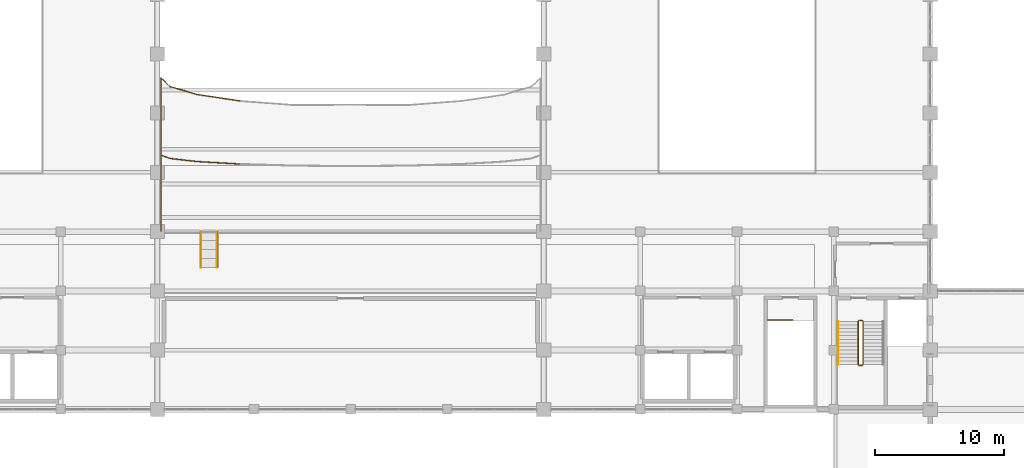
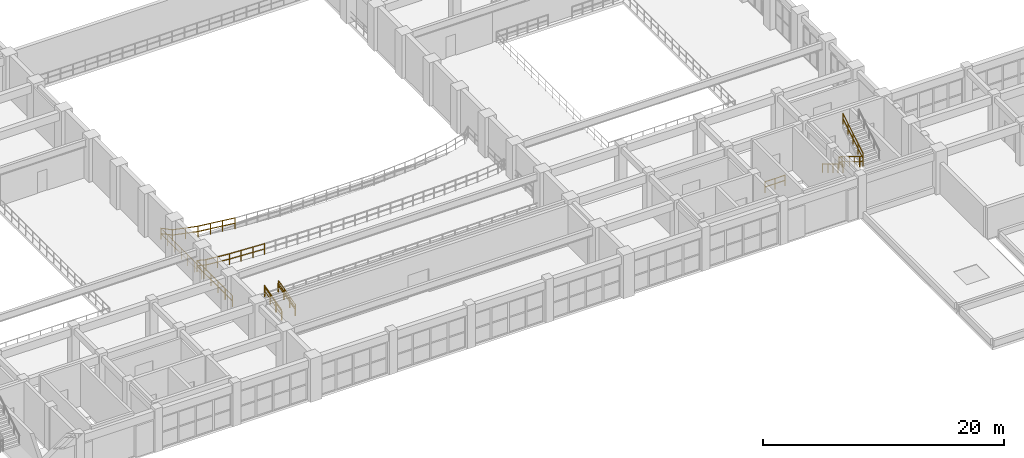
# One storey, part 84 of 90: 18 railings.
"""IFC4 building model written with IfcOpenShell, lengths in metres."""

from ifc_helpers import new_model, si_unit, direction, frame, origin, origin_2d, place, context, subcontext, project, spatial, circle, extrude, material, type_object, element, save


model = new_model("IFC4")

# Units and contexts
model_context = context("Model", 3, precision=1e-05, world=origin(), true_north=direction((0.0, 1.0)))
body_context = subcontext(model_context, "Body", "Model", "MODEL_VIEW")
ifc_project = project(units=[si_unit("LENGTHUNIT", "METRE"), si_unit("AREAUNIT", "SQUARE_METRE"), si_unit("VOLUMEUNIT", "CUBIC_METRE"), si_unit("PLANEANGLEUNIT", "RADIAN"), si_unit("MASSUNIT", "GRAM", prefix="KILO")], contexts=[model_context])

# Site, building, storey
site_placement = place(None, origin())
site = spatial("IfcSite", under=ifc_project, at=site_placement, CompositionType="ELEMENT")
building_placement = place(site_placement, origin())
building = spatial("IfcBuilding", under=site, at=building_placement, Name="Muzn Square Opera House", CompositionType="ELEMENT")
storey_placement = place(building_placement, frame((0.0, 0.0, 9.800048828125)))
storey = spatial("IfcBuildingStorey", under=building, at=storey_placement, Name="L02", CompositionType="ELEMENT", Elevation=9.800048828125)

# Railings
ifc_material_1 = material(Name="Architectural bronze mashrabiya", Category="metal")
railing_type_1 = type_object("IfcRailingType", Name="Bronze Protective Balustrade 1120mm", PredefinedType="BALUSTRADE", material=ifc_material_1)
railing_1_placement = place(storey_placement, frame((79.36669921875, 41.05224609375, 0.719970703125)))
element("IfcRailing", 1, at=railing_1_placement, inside=storey, type_object=railing_type_1, Name="Auditorium Balcony Tier Front Balustrade L02-0127", PredefinedType="BALUSTRADE", context=body_context, shape_type="SweptSolid", body=[
    extrude(circle(Radius=0.02392578125, at=origin_2d()), frame((0.0, 0.0, 1.09619140625), z_axis=(-0.998349564614, 0.057429494465, 0.0), x_axis=(-0.057429494465, -0.998349564614, 0.0)), (0.0, 0.0, 1.0), 3.277587890625),
    extrude(circle(Radius=0.02392578125, at=origin_2d()), frame((0.0, 0.0, 0.56005859375), z_axis=(-0.998349564614, 0.057429494465, 0.0), x_axis=(-0.057429494465, -0.998349564614, 0.0)), (0.0, 0.0, 1.0), 3.277587890625),
    extrude(circle(Radius=0.02099609375, at=origin_2d()), origin(), (0.0, 0.0, 1.0), 1.072021484375),
    extrude(circle(Radius=0.02099609375, at=origin_2d()), frame((-1.0908203125, 0.062744140625, 0.0)), (0.0, 0.0, 1.0), 1.072021484375),
    extrude(circle(Radius=0.02099609375, at=origin_2d()), frame((-2.181396484375, 0.12548828125, 0.0)), (0.0, 0.0, 1.0), 1.072021484375),
    extrude(circle(Radius=0.02099609375, at=origin_2d()), frame((-3.272216796875, 0.188232421875, 0.0)), (0.0, 0.0, 1.0), 1.072021484375),
])
railing_2_placement = place(storey_placement, frame((76.094482421875, 41.240478515625, 0.719970703125)))
element("IfcRailing", 2, at=railing_2_placement, inside=storey, type_object=railing_type_1, Name="Auditorium Balcony Tier Front Balustrade L02-0128", PredefinedType="BALUSTRADE", context=body_context, shape_type="SweptSolid", body=[
    extrude(circle(Radius=0.02392578125, at=origin_2d()), frame((0.0, 0.0, 1.09619140625), z_axis=(-0.99370498589, 0.112028572328, 0.0), x_axis=(-0.112028572328, -0.99370498589, 0.0)), (0.0, 0.0, 1.0), 2.114013671875),
    extrude(circle(Radius=0.02392578125, at=origin_2d()), frame((0.0, 0.0, 0.56005859375), z_axis=(-0.99370498589, 0.112028572328, 0.0), x_axis=(-0.112028572328, -0.99370498589, 0.0)), (0.0, 0.0, 1.0), 2.114013671875),
    extrude(circle(Radius=0.02099609375, at=origin_2d()), origin(), (0.0, 0.0, 1.0), 1.072021484375),
    extrude(circle(Radius=0.02099609375, at=origin_2d()), frame((-1.05029296875, 0.118408203125, 0.0)), (0.0, 0.0, 1.0), 1.072021484375),
    extrude(circle(Radius=0.02099609375, at=origin_2d()), frame((-2.1005859375, 0.23681640625, 0.0)), (0.0, 0.0, 1.0), 1.072021484375),
])
railing_3_placement = place(storey_placement, frame((73.993896484375, 41.477294921875, 0.719970703125)))
element("IfcRailing", 3, at=railing_3_placement, inside=storey, type_object=railing_type_1, Name="Auditorium Balcony Tier Front Balustrade L02-0129", PredefinedType="BALUSTRADE", context=body_context, shape_type="SweptSolid", body=[
    extrude(circle(Radius=0.02392578125, at=origin_2d()), frame((0.0, 0.0, 1.09619140625), z_axis=(-0.940015382387, 0.341132057824, 0.0), x_axis=(-0.341132057824, -0.940015382387, 0.0)), (0.0, 0.0, 1.0), 0.77001953125),
    extrude(circle(Radius=0.02392578125, at=origin_2d()), frame((0.0, 0.0, 0.56005859375), z_axis=(-0.940015382387, 0.341132057824, 0.0), x_axis=(-0.341132057824, -0.940015382387, 0.0)), (0.0, 0.0, 1.0), 0.77001953125),
    extrude(circle(Radius=0.02099609375, at=origin_2d()), origin(), (0.0, 0.0, 1.0), 1.072021484375),
    extrude(circle(Radius=0.02099609375, at=origin_2d()), frame((-0.723876953125, 0.2626953125, 0.0)), (0.0, 0.0, 1.0), 1.072021484375),
])
railing_4_placement = place(storey_placement, frame((73.27001953125, 41.739990234375, 0.719970703125)))
element("IfcRailing", 4, at=railing_4_placement, inside=storey, type_object=railing_type_1, Name="Auditorium Balcony Tier Front Balustrade L02-0130", PredefinedType="BALUSTRADE", context=body_context, shape_type="SweptSolid", body=[
    extrude(circle(Radius=0.02392578125, at=origin_2d()), frame((0.0, 0.0, 1.09619140625), z_axis=(0.0, -1.0, 0.0), x_axis=(1.0, 0.0, 0.0)), (0.0, 0.0, 1.0), 5.8798828125),
    extrude(circle(Radius=0.02392578125, at=origin_2d()), frame((0.0, 0.0, 0.56005859375), z_axis=(0.0, -1.0, 0.0), x_axis=(1.0, 0.0, 0.0)), (0.0, 0.0, 1.0), 5.8798828125),
    extrude(circle(Radius=0.02099609375, at=origin_2d()), origin(), (0.0, 0.0, 1.0), 1.072021484375),
    extrude(circle(Radius=0.02099609375, at=origin_2d()), frame((0.0, -1.176025390625, 0.0)), (0.0, 0.0, 1.0), 1.072021484375),
    extrude(circle(Radius=0.02099609375, at=origin_2d()), frame((0.0, -2.35205078125, 0.0)), (0.0, 0.0, 1.0), 1.072021484375),
    extrude(circle(Radius=0.02099609375, at=origin_2d()), frame((0.0, -3.52783203125, 0.0)), (0.0, 0.0, 1.0), 1.072021484375),
    extrude(circle(Radius=0.02099609375, at=origin_2d()), frame((0.0, -4.703857421875, 0.0)), (0.0, 0.0, 1.0), 1.072021484375),
    extrude(circle(Radius=0.02099609375, at=origin_2d()), frame((0.0, -5.8798828125, 0.0)), (0.0, 0.0, 1.0), 1.072021484375),
])
railing_5_placement = place(storey_placement, frame((79.36669921875, 45.960205078125, 0.35986328125)))
element("IfcRailing", 5, at=railing_5_placement, inside=storey, type_object=railing_type_1, Name="Auditorium Balcony Tier Front Balustrade L02-0139", PredefinedType="BALUSTRADE", context=body_context, shape_type="SweptSolid", body=[
    extrude(circle(Radius=0.02392578125, at=origin_2d()), frame((0.0, 0.0, 1.09619140625), z_axis=(-0.989113729581, 0.147153083398, 0.0), x_axis=(-0.147153083398, -0.989113729581, 0.0)), (0.0, 0.0, 1.0), 3.308349609375),
    extrude(circle(Radius=0.02392578125, at=origin_2d()), frame((0.0, 0.0, 0.56005859375), z_axis=(-0.989113729581, 0.147153083398, 0.0), x_axis=(-0.147153083398, -0.989113729581, 0.0)), (0.0, 0.0, 1.0), 3.308349609375),
    extrude(circle(Radius=0.02099609375, at=origin_2d()), origin(), (0.0, 0.0, 1.0), 1.072021484375),
    extrude(circle(Radius=0.02099609375, at=origin_2d()), frame((-1.0908203125, 0.162353515625, 0.0)), (0.0, 0.0, 1.0), 1.072021484375),
    extrude(circle(Radius=0.02099609375, at=origin_2d()), frame((-2.181396484375, 0.324462890625, 0.0)), (0.0, 0.0, 1.0), 1.072021484375),
    extrude(circle(Radius=0.02099609375, at=origin_2d()), frame((-3.272216796875, 0.48681640625, 0.0)), (0.0, 0.0, 1.0), 1.072021484375),
])
railing_6_placement = place(storey_placement, frame((76.094482421875, 46.447021484375, 0.35986328125)))
element("IfcRailing", 6, at=railing_6_placement, inside=storey, type_object=railing_type_1, Name="Auditorium Balcony Tier Front Balustrade L02-0140", PredefinedType="BALUSTRADE", context=body_context, shape_type="SweptSolid", body=[
    extrude(circle(Radius=0.02392578125, at=origin_2d()), frame((0.0, 0.0, 1.09619140625), z_axis=(-0.959924992365, 0.280257041007, 0.0), x_axis=(-0.280257041007, -0.959924992365, 0.0)), (0.0, 0.0, 1.0), 2.188232421875),
    extrude(circle(Radius=0.02392578125, at=origin_2d()), frame((0.0, 0.0, 0.56005859375), z_axis=(-0.959924992365, 0.280257041007, 0.0), x_axis=(-0.280257041007, -0.959924992365, 0.0)), (0.0, 0.0, 1.0), 2.188232421875),
    extrude(circle(Radius=0.02099609375, at=origin_2d()), origin(), (0.0, 0.0, 1.0), 1.072021484375),
    extrude(circle(Radius=0.02099609375, at=origin_2d()), frame((-1.05029296875, 0.306640625, 0.0)), (0.0, 0.0, 1.0), 1.072021484375),
    extrude(circle(Radius=0.02099609375, at=origin_2d()), frame((-2.1005859375, 0.61328125, 0.0)), (0.0, 0.0, 1.0), 1.072021484375),
])
railing_7_placement = place(storey_placement, frame((73.993896484375, 47.060302734375, 0.35986328125)))
element("IfcRailing", 7, at=railing_7_placement, inside=storey, type_object=railing_type_1, Name="Auditorium Balcony Tier Front Balustrade L02-0141", PredefinedType="BALUSTRADE", context=body_context, shape_type="SweptSolid", body=[
    extrude(circle(Radius=0.02392578125, at=origin_2d()), frame((0.0, 0.0, 1.09619140625), z_axis=(-0.729007928433, 0.684505252195, 0.0), x_axis=(-0.684505252195, -0.729007928433, 0.0)), (0.0, 0.0, 1.0), 0.992919921875),
    extrude(circle(Radius=0.02392578125, at=origin_2d()), frame((0.0, 0.0, 0.56005859375), z_axis=(-0.729007928433, 0.684505252195, 0.0), x_axis=(-0.684505252195, -0.729007928433, 0.0)), (0.0, 0.0, 1.0), 0.992919921875),
    extrude(circle(Radius=0.02099609375, at=origin_2d()), origin(), (0.0, 0.0, 1.0), 1.072021484375),
    extrude(circle(Radius=0.02099609375, at=origin_2d()), frame((-0.723876953125, 0.6796875, 0.0)), (0.0, 0.0, 1.0), 1.072021484375),
])
railing_8_placement = place(storey_placement, frame((73.27001953125, 47.739990234375, 0.35986328125)))
element("IfcRailing", 8, at=railing_8_placement, inside=storey, type_object=railing_type_1, Name="Auditorium Balcony Tier Front Balustrade L02-0142", PredefinedType="BALUSTRADE", context=body_context, shape_type="SweptSolid", body=[
    extrude(circle(Radius=0.02392578125, at=origin_2d()), frame((0.0, 0.0, 1.09619140625), z_axis=(0.0, -1.0, 0.0), x_axis=(1.0, 0.0, 0.0)), (0.0, 0.0, 1.0), 6.72998046875),
    extrude(circle(Radius=0.02392578125, at=origin_2d()), frame((0.0, 0.0, 0.56005859375), z_axis=(0.0, -1.0, 0.0), x_axis=(1.0, 0.0, 0.0)), (0.0, 0.0, 1.0), 6.72998046875),
    extrude(circle(Radius=0.02099609375, at=origin_2d()), origin(), (0.0, 0.0, 1.0), 1.072021484375),
    extrude(circle(Radius=0.02099609375, at=origin_2d()), frame((0.0, -1.12158203125, 0.0)), (0.0, 0.0, 1.0), 1.072021484375),
    extrude(circle(Radius=0.02099609375, at=origin_2d()), frame((0.0, -2.243408203125, 0.0)), (0.0, 0.0, 1.0), 1.072021484375),
    extrude(circle(Radius=0.02099609375, at=origin_2d()), frame((0.0, -3.364990234375, 0.0)), (0.0, 0.0, 1.0), 1.072021484375),
    extrude(circle(Radius=0.02099609375, at=origin_2d()), frame((0.0, -4.486572265625, 0.0)), (0.0, 0.0, 1.0), 1.072021484375),
    extrude(circle(Radius=0.02099609375, at=origin_2d()), frame((0.0, -5.6083984375, 0.0)), (0.0, 0.0, 1.0), 1.072021484375),
    extrude(circle(Radius=0.02099609375, at=origin_2d()), frame((0.0, -6.72998046875, 0.0)), (0.0, 0.0, 1.0), 1.072021484375),
])
ifc_material_2 = material(Name="Brushed stainless steel", Category="metal")
railing_type_2 = type_object("IfcRailingType", Name="Stair Guard Railing 1120mm", PredefinedType="GUARDRAIL", material=ifc_material_2)
railing_9_placement = place(storey_placement, frame((127.409912109375, 28.840087890625, 0.169189453125)))
element("IfcRailing", 9, at=railing_9_placement, inside=storey, type_object=railing_type_2, Name="L02 ST-4 stair guard 1", PredefinedType="GUARDRAIL", context=body_context, shape_type="SweptSolid", body=[
    extrude(circle(Radius=0.02392578125, at=origin_2d()), frame((0.0, 0.0, 1.076171875), z_axis=(0.0, -0.855836976705, 0.517245656632), x_axis=(1.0, 0.0, 0.0)), (0.0, 0.0, 1.0), 3.926025390625),
    extrude(circle(Radius=0.02392578125, at=origin_2d()), frame((0.0, 0.0, 0.550048828125), z_axis=(0.0, -0.855836976705, 0.517245656632), x_axis=(1.0, 0.0, 0.0)), (0.0, 0.0, 1.0), 3.926025390625),
    extrude(circle(Radius=0.02099609375, at=origin_2d()), origin(), (0.0, 0.0, 1.0), 1.052001953125),
    extrude(circle(Radius=0.02099609375, at=origin_2d()), frame((0.0, -0.840087890625, 0.5078125)), (0.0, 0.0, 1.0), 1.052001953125),
    extrude(circle(Radius=0.02099609375, at=origin_2d()), frame((0.0, -1.68017578125, 1.015380859375)), (0.0, 0.0, 1.0), 1.052001953125),
    extrude(circle(Radius=0.02099609375, at=origin_2d()), frame((0.0, -2.52001953125, 1.52294921875)), (0.0, 0.0, 1.0), 1.052001953125),
    extrude(circle(Radius=0.02099609375, at=origin_2d()), frame((0.0, -3.360107421875, 2.03076171875)), (0.0, 0.0, 1.0), 1.052001953125),
])
railing_10_placement = place(storey_placement, frame((127.4599609375, 25.429931640625, 2.199951171875)))
element("IfcRailing", 10, at=railing_10_placement, inside=storey, type_object=railing_type_2, Name="L02 ST-4 stair guard 2", PredefinedType="GUARDRAIL", context=body_context, shape_type="SweptSolid", body=[
    extrude(circle(Radius=0.02392578125, at=origin_2d()), frame((0.0, 0.0, 1.076171875), z_axis=(1.0, 0.0, 0.0), x_axis=(0.0, 1.0, 0.0)), (0.0, 0.0, 1.0), 0.280029296875),
    extrude(circle(Radius=0.02392578125, at=origin_2d()), frame((0.0, 0.0, 0.550048828125), z_axis=(1.0, 0.0, 0.0), x_axis=(0.0, 1.0, 0.0)), (0.0, 0.0, 1.0), 0.280029296875),
    extrude(circle(Radius=0.02099609375, at=origin_2d()), origin(), (0.0, 0.0, 1.0), 1.052001953125),
    extrude(circle(Radius=0.02099609375, at=origin_2d()), frame((0.280029296875, 0.0, 0.0)), (0.0, 0.0, 1.0), 1.052001953125),
])
railing_11_placement = place(storey_placement, frame((127.7900390625, 25.47998046875, 2.369140625)))
element("IfcRailing", 11, at=railing_11_placement, inside=storey, type_object=railing_type_2, Name="L02 ST-4 stair guard 3", PredefinedType="GUARDRAIL", context=body_context, shape_type="SweptSolid", body=[
    extrude(circle(Radius=0.02392578125, at=origin_2d()), frame((0.0, 0.0, 1.076171875), z_axis=(0.0, 0.855836976705, 0.517245656632), x_axis=(-1.0, 0.0, 0.0)), (0.0, 0.0, 1.0), 3.926025390625),
    extrude(circle(Radius=0.02392578125, at=origin_2d()), frame((0.0, 0.0, 0.550048828125), z_axis=(0.0, 0.855836976705, 0.517245656632), x_axis=(-1.0, 0.0, 0.0)), (0.0, 0.0, 1.0), 3.926025390625),
    extrude(circle(Radius=0.02099609375, at=origin_2d()), origin(), (0.0, 0.0, 1.0), 1.052001953125),
    extrude(circle(Radius=0.02099609375, at=origin_2d()), frame((0.0, 0.840087890625, 0.5078125)), (0.0, 0.0, 1.0), 1.052001953125),
    extrude(circle(Radius=0.02099609375, at=origin_2d()), frame((0.0, 1.68017578125, 1.015380859375)), (0.0, 0.0, 1.0), 1.052001953125),
    extrude(circle(Radius=0.02099609375, at=origin_2d()), frame((0.0, 2.52001953125, 1.52294921875)), (0.0, 0.0, 1.0), 1.052001953125),
    extrude(circle(Radius=0.02099609375, at=origin_2d()), frame((0.0, 3.360107421875, 2.03076171875)), (0.0, 0.0, 1.0), 1.052001953125),
])
railing_12_placement = place(storey_placement, frame((127.4599609375, 28.889892578125, 0.0)))
element("IfcRailing", 12, at=railing_12_placement, inside=storey, type_object=railing_type_2, Name="L02 ST-4 stair guard 4", PredefinedType="GUARDRAIL", context=body_context, shape_type="SweptSolid", body=[
    extrude(circle(Radius=0.02392578125, at=origin_2d()), frame((0.0, 0.0, 1.076171875), z_axis=(1.0, 0.0, 0.0), x_axis=(0.0, 1.0, 0.0)), (0.0, 0.0, 1.0), 0.280029296875),
    extrude(circle(Radius=0.02392578125, at=origin_2d()), frame((0.0, 0.0, 0.550048828125), z_axis=(1.0, 0.0, 0.0), x_axis=(0.0, 1.0, 0.0)), (0.0, 0.0, 1.0), 0.280029296875),
    extrude(circle(Radius=0.02099609375, at=origin_2d()), origin(), (0.0, 0.0, 1.0), 1.052001953125),
    extrude(circle(Radius=0.02099609375, at=origin_2d()), frame((0.280029296875, 0.0, 0.0)), (0.0, 0.0, 1.0), 1.052001953125),
])
railing_13_placement = place(storey_placement, frame((120.35009765625, 28.93994140625, 0.0)))
element("IfcRailing", 13, at=railing_13_placement, inside=storey, type_object=railing_type_2, Name="L02 ST-12 top well guard 1", PredefinedType="GUARDRAIL", context=body_context, shape_type="SweptSolid", body=[
    extrude(circle(Radius=0.02392578125, at=origin_2d()), frame((0.0, 0.0, 1.076171875), z_axis=(1.0, 0.0, 0.0), x_axis=(0.0, 1.0, 0.0)), (0.0, 0.0, 1.0), 1.93994140625),
    extrude(circle(Radius=0.02392578125, at=origin_2d()), frame((0.0, 0.0, 0.550048828125), z_axis=(1.0, 0.0, 0.0), x_axis=(0.0, 1.0, 0.0)), (0.0, 0.0, 1.0), 1.93994140625),
    extrude(circle(Radius=0.02099609375, at=origin_2d()), origin(), (0.0, 0.0, 1.0), 1.052001953125),
    extrude(circle(Radius=0.02099609375, at=origin_2d()), frame((0.969970703125, 0.0, 0.0)), (0.0, 0.0, 1.0), 1.052001953125),
    extrude(circle(Radius=0.02099609375, at=origin_2d()), frame((1.93994140625, 0.0, 0.0)), (0.0, 0.0, 1.0), 1.052001953125),
])
for number, where, name in (
    (14, (76.320068359375, 33.0, 0.0), "Vomitory Stair Guard VS-07-L"),
    (15, (77.679931640625, 33.0, 0.0), "Vomitory Stair Guard VS-07-R"),
):
    element("IfcRailing", number, at=place(storey_placement, frame(where)), inside=storey, type_object=railing_type_2, Name=name, PredefinedType="GUARDRAIL", context=body_context, shape_type="SweptSolid", body=[
        extrude(circle(Radius=0.02392578125, at=origin_2d()), frame((0.0, 0.0, 1.09619140625), z_axis=(0.0, 0.96849642409, 0.249027461387), x_axis=(-1.0, 0.0, 0.0)), (0.0, 0.0, 1.0), 2.89111328125),
        extrude(circle(Radius=0.02392578125, at=origin_2d()), frame((0.0, 0.0, 0.56005859375), z_axis=(0.0, 0.96849642409, 0.249027461387), x_axis=(-1.0, 0.0, 0.0)), (0.0, 0.0, 1.0), 2.89111328125),
        extrude(circle(Radius=0.02099609375, at=origin_2d()), origin(), (0.0, 0.0, 1.0), 1.072021484375),
        extrude(circle(Radius=0.02099609375, at=origin_2d()), frame((0.0, 0.933349609375, 0.239990234375)), (0.0, 0.0, 1.0), 1.072021484375),
        extrude(circle(Radius=0.02099609375, at=origin_2d()), frame((0.0, 1.86669921875, 0.47998046875)), (0.0, 0.0, 1.0), 1.072021484375),
        extrude(circle(Radius=0.02099609375, at=origin_2d()), frame((0.0, 2.800048828125, 0.719970703125)), (0.0, 0.0, 1.0), 1.072021484375),
    ])
railing_type_3 = type_object("IfcRailingType", Name="Stair Pitch Handrail 900mm", PredefinedType="HANDRAIL", material=ifc_material_2)
railing_14_placement = place(storey_placement, frame((125.85009765625, 28.840087890625, 0.169189453125)))
element("IfcRailing", 16, at=railing_14_placement, inside=storey, type_object=railing_type_3, Name="L02 ST-4 stair handrail 1", PredefinedType="HANDRAIL", context=body_context, shape_type="SweptSolid", body=[
    extrude(circle(Radius=0.02392578125, at=origin_2d()), frame((0.0, 0.0, 0.8759765625), z_axis=(0.0, -0.855836976705, 0.517245656632), x_axis=(1.0, 0.0, 0.0)), (0.0, 0.0, 1.0), 3.926025390625),
    extrude(circle(Radius=0.02099609375, at=origin_2d()), origin(), (0.0, 0.0, 1.0), 0.851806640625),
    extrude(circle(Radius=0.02099609375, at=origin_2d()), frame((0.0, -0.840087890625, 0.5078125)), (0.0, 0.0, 1.0), 0.851806640625),
    extrude(circle(Radius=0.02099609375, at=origin_2d()), frame((0.0, -1.68017578125, 1.015380859375)), (0.0, 0.0, 1.0), 0.851806640625),
    extrude(circle(Radius=0.02099609375, at=origin_2d()), frame((0.0, -2.52001953125, 1.52294921875)), (0.0, 0.0, 1.0), 0.851806640625),
    extrude(circle(Radius=0.02099609375, at=origin_2d()), frame((0.0, -3.360107421875, 2.03076171875)), (0.0, 0.0, 1.0), 0.851806640625),
])
for number, where, name in (
    (17, (76.37451171875, 33.0, 0.0), "Vomitory Stair Handrail VS-07-L"),
    (18, (77.62548828125, 33.0, 0.0), "Vomitory Stair Handrail VS-07-R"),
):
    element("IfcRailing", number, at=place(storey_placement, frame(where)), inside=storey, type_object=railing_type_3, Name=name, PredefinedType="HANDRAIL", context=body_context, shape_type="SweptSolid", body=[
        extrude(circle(Radius=0.02392578125, at=origin_2d()), frame((0.0, 0.0, 0.8759765625), z_axis=(0.0, 0.96849642409, 0.249027461387), x_axis=(-1.0, 0.0, 0.0)), (0.0, 0.0, 1.0), 2.89111328125),
        extrude(circle(Radius=0.02099609375, at=origin_2d()), origin(), (0.0, 0.0, 1.0), 0.851806640625),
        extrude(circle(Radius=0.02099609375, at=origin_2d()), frame((0.0, 0.933349609375, 0.239990234375)), (0.0, 0.0, 1.0), 0.851806640625),
        extrude(circle(Radius=0.02099609375, at=origin_2d()), frame((0.0, 1.86669921875, 0.47998046875)), (0.0, 0.0, 1.0), 0.851806640625),
        extrude(circle(Radius=0.02099609375, at=origin_2d()), frame((0.0, 2.800048828125, 0.719970703125)), (0.0, 0.0, 1.0), 0.851806640625),
    ])

save(model, "model.ifc")
